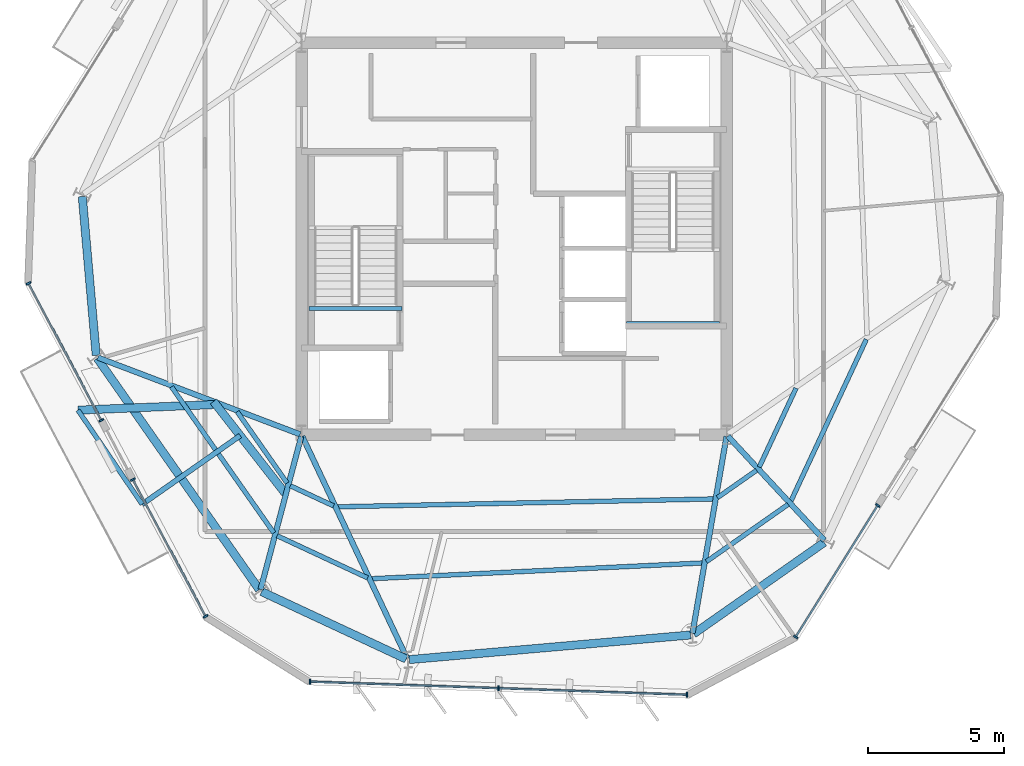
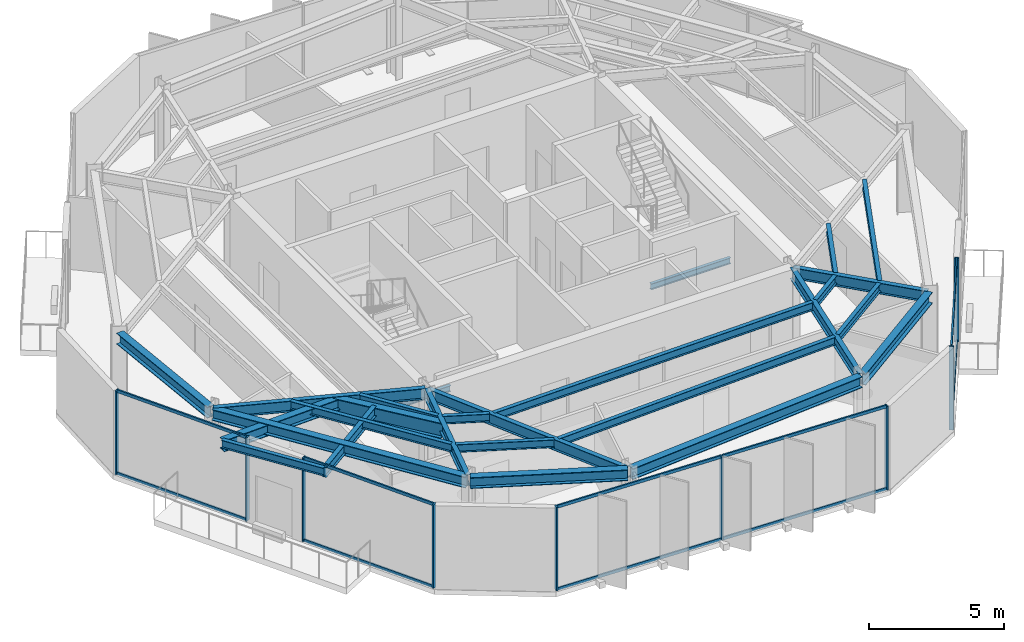
# One storey, part 2 of 12: 26 beams, 19 members, 4 elements without a shape of their own.
"""IFC4 building model written with IfcOpenShell, lengths in metres."""

from ifc_helpers import new_model, si_unit, direction, frame, origin, origin_2d, place, context, subcontext, project, spatial, rectangle, i_section, extrude, material, layer, layer_set, material_profile, profile_set, type_object, element, aggregate, save


model = new_model("IFC4")

# Units and contexts
model_context = context("Model", 3, precision=1e-05, world=origin(), true_north=direction((0.0, 1.0)))
body_context = subcontext(model_context, "Body", "Model", "MODEL_VIEW")
ifc_project = project(units=[si_unit("LENGTHUNIT", "METRE"), si_unit("AREAUNIT", "SQUARE_METRE"), si_unit("VOLUMEUNIT", "CUBIC_METRE"), si_unit("PLANEANGLEUNIT", "RADIAN"), si_unit("MASSUNIT", "GRAM", prefix="KILO")], contexts=[model_context])

# Site, building, storey
site_placement = place(None, origin())
site = spatial("IfcSite", under=ifc_project, at=site_placement, CompositionType="ELEMENT")
building_placement = place(site_placement, origin())
building = spatial("IfcBuilding", under=site, at=building_placement, Name="Kranzbogen Civic Tower", CompositionType="ELEMENT")
storey_placement = place(building_placement, frame((0.0, 0.0, 258.199951171875)))
storey = spatial("IfcBuildingStorey", under=building, at=storey_placement, Name="L62", CompositionType="ELEMENT", Elevation=258.199951171875)

# Beam
ifc_material_1 = material(Name="Steel S355", Category="steel")
ifc_material_profile_1 = material_profile(ifc_material_1, i_section(OverallWidth=0.18994140625, OverallDepth=0.449951171875, WebThickness=0.009521484375, FlangeThickness=0.0146484375, at=origin_2d()), Name="IPE 450")
ifc_profile_set_1 = profile_set([ifc_material_profile_1], Name="Steel S355")
beam_type_1 = type_object("IfcBeamType", Name="Braced Terrace Edge Beam IPE 450", PredefinedType="BEAM", material=ifc_profile_set_1)
beam_1_placement = place(storey_placement, frame((14.944091796875, 17.77490234375, 3.525146484375), z_axis=(-0.819179663282, -0.573536990321, 0.0), x_axis=(0.573536990321, -0.819179663282, 0.0)))
element("IfcBeam", 1, at=beam_1_placement, inside=storey, type_object=beam_type_1, Name="L63 back-spanned terrace beam L63-TB2-2", PredefinedType="BEAM", context=body_context, shape_type="SweptSolid", body=[
    extrude(i_section(OverallWidth=0.18994140625, OverallDepth=0.449951171875, WebThickness=0.009521484375, FlangeThickness=0.0146484375, at=origin_2d()), origin(), (0.0, 0.0, 1.0), 4.389892578125),
])

# Curtain wall, members
ifc_material_2 = material(Name="Pale Anodised Aluminium", Category="aluminium")
ifc_layer = layer(ifc_material_2, 0.219970703125, Name="Pale Anodised Aluminium")
ifc_layer_set = layer_set([ifc_layer], Name="Pale Anodised Aluminium")
curtain_wall_type = type_object("IfcCurtainWallType", Name="Zone 4 Stick Curtain Wall System CW-05", PredefinedType="USERDEFINED", material=ifc_layer_set)
curtain_wall_1_placement = place(storey_placement, origin())
curtain_wall_1 = element("IfcCurtainWall", 2, at=curtain_wall_1_placement, inside=storey, type_object=curtain_wall_type, Name="L62 curtain wall CW-L62-F3-S1", ObjectType="STICK CURTAIN WALL", PredefinedType="USERDEFINED")
ifc_material_profile_2 = material_profile(ifc_material_2, rectangle(XDim=0.06494140625, YDim=0.179931640625, at=origin_2d()), Name="ALU-M 65x180")
ifc_profile_set_2 = profile_set([ifc_material_profile_2], Name="Pale Anodised Aluminium")
member_type_1 = type_object("IfcMemberType", Name="Curtain Wall Mullion ALU-M 65x180", PredefinedType="MULLION", material=ifc_profile_set_2)
member_1_placement = place(storey_placement, frame((7.177978515625, 23.362548828125, 0.0), z_axis=(0.0, 0.0, 1.0), x_axis=(0.469468784746, -0.882949069963, 0.0)))
member_1 = element("IfcMember", 3, at=member_1_placement, type_object=member_type_1, Name="CW-05 mullion 1", PredefinedType="MULLION", context=body_context, shape_type="SweptSolid", body=[
    extrude(rectangle(XDim=0.06494140625, YDim=0.179931640625, at=origin_2d()), origin(), (0.0, 0.0, 1.0), 3.780029296875),
])
member_2_placement = place(storey_placement, frame((9.849853515625, 18.33740234375, 0.0), z_axis=(0.0, 0.0, 1.0), x_axis=(0.469468784746, -0.882949069963, 0.0)))
member_2 = element("IfcMember", 4, at=member_2_placement, type_object=member_type_1, Name="CW-05 mullion 2", PredefinedType="MULLION", context=body_context, shape_type="SweptSolid", body=[
    extrude(rectangle(XDim=0.06494140625, YDim=0.179931640625, at=origin_2d()), origin(), (0.0, 0.0, 1.0), 3.780029296875),
])

curtain_wall_2_placement = place(storey_placement, origin())
curtain_wall_2 = element("IfcCurtainWall", 5, at=curtain_wall_2_placement, inside=storey, type_object=curtain_wall_type, Name="L62 curtain wall CW-L62-F3-S2", ObjectType="STICK CURTAIN WALL", PredefinedType="USERDEFINED")
member_3_placement = place(storey_placement, frame((11.005126953125, 16.16552734375, 0.0), z_axis=(0.0, 0.0, 1.0), x_axis=(0.4694052891, -0.882982828012, 0.0)))
member_3 = element("IfcMember", 6, at=member_3_placement, type_object=member_type_1, Name="CW-05 mullion 1", PredefinedType="MULLION", context=body_context, shape_type="SweptSolid", body=[
    extrude(rectangle(XDim=0.06494140625, YDim=0.179931640625, at=origin_2d()), origin(), (0.0, 0.0, 1.0), 3.780029296875),
])
member_4_placement = place(storey_placement, frame((13.676025390625, 11.1416015625, 0.0), z_axis=(0.0, 0.0, 1.0), x_axis=(0.4694052891, -0.882982828012, 0.0)))
member_4 = element("IfcMember", 7, at=member_4_placement, type_object=member_type_1, Name="CW-05 mullion 2", PredefinedType="MULLION", context=body_context, shape_type="SweptSolid", body=[
    extrude(rectangle(XDim=0.06494140625, YDim=0.179931640625, at=origin_2d()), origin(), (0.0, 0.0, 1.0), 3.780029296875),
])

curtain_wall_3_placement = place(storey_placement, origin())
curtain_wall_3 = element("IfcCurtainWall", 8, at=curtain_wall_3_placement, inside=storey, type_object=curtain_wall_type, Name="L62 curtain wall CW-L62-F4", ObjectType="STICK CURTAIN WALL", PredefinedType="USERDEFINED")
member_5_placement = place(storey_placement, frame((17.507080078125, 8.7470703125, 0.0), z_axis=(0.0, 0.0, 1.0), x_axis=(0.999391301516, -0.034885906233, 0.0)))
member_5 = element("IfcMember", 9, at=member_5_placement, type_object=member_type_1, Name="CW-05 mullion 1", PredefinedType="MULLION", context=body_context, shape_type="SweptSolid", body=[
    extrude(rectangle(XDim=0.06494140625, YDim=0.179931640625, at=origin_2d()), origin(), (0.0, 0.0, 1.0), 3.780029296875),
])
member_6_placement = place(storey_placement, frame((24.424072265625, 8.505615234375, 0.0), z_axis=(0.0, 0.0, 1.0), x_axis=(0.999391301516, -0.034885906233, 0.0)))
member_6 = element("IfcMember", 10, at=member_6_placement, type_object=member_type_1, Name="CW-05 mullion 2", PredefinedType="MULLION", context=body_context, shape_type="SweptSolid", body=[
    extrude(rectangle(XDim=0.06494140625, YDim=0.179931640625, at=origin_2d()), origin(), (0.0, 0.0, 1.0), 3.780029296875),
])
member_7_placement = place(storey_placement, frame((31.341064453125, 8.26416015625, 0.0), z_axis=(0.0, 0.0, 1.0), x_axis=(0.999391301516, -0.034885906233, 0.0)))
member_7 = element("IfcMember", 11, at=member_7_placement, type_object=member_type_1, Name="CW-05 mullion 3", PredefinedType="MULLION", context=body_context, shape_type="SweptSolid", body=[
    extrude(rectangle(XDim=0.06494140625, YDim=0.179931640625, at=origin_2d()), origin(), (0.0, 0.0, 1.0), 3.780029296875),
])

curtain_wall_4_placement = place(storey_placement, origin())
curtain_wall_4 = element("IfcCurtainWall", 12, at=curtain_wall_4_placement, inside=storey, type_object=curtain_wall_type, Name="L62 curtain wall CW-L62-F5-S1", ObjectType="STICK CURTAIN WALL", PredefinedType="USERDEFINED")
member_8_placement = place(storey_placement, frame((35.328857421875, 10.384521484375, 0.0), z_axis=(0.0, 0.0, 1.0), x_axis=(0.529905173136, 0.848056901088, 0.0)))
member_8 = element("IfcMember", 13, at=member_8_placement, type_object=member_type_1, Name="CW-05 mullion 1", PredefinedType="MULLION", context=body_context, shape_type="SweptSolid", body=[
    extrude(rectangle(XDim=0.06494140625, YDim=0.179931640625, at=origin_2d()), origin(), (0.0, 0.0, 1.0), 3.780029296875),
])
member_9_placement = place(storey_placement, frame((38.34521484375, 15.211669921875, 0.0), z_axis=(0.0, 0.0, 1.0), x_axis=(0.529905173136, 0.848056901088, 0.0)))
member_9 = element("IfcMember", 14, at=member_9_placement, type_object=member_type_1, Name="CW-05 mullion 2", PredefinedType="MULLION", context=body_context, shape_type="SweptSolid", body=[
    extrude(rectangle(XDim=0.06494140625, YDim=0.179931640625, at=origin_2d()), origin(), (0.0, 0.0, 1.0), 3.780029296875),
])

# Member
ifc_material_profile_3 = material_profile(ifc_material_2, rectangle(XDim=0.06494140625, YDim=0.135009765625, at=origin_2d()), Name="ALU-T 65x135")
ifc_profile_set_3 = profile_set([ifc_material_profile_3], Name="Pale Anodised Aluminium")
member_type_2 = type_object("IfcMemberType", Name="Curtain Wall Transom ALU-T 65x135", PredefinedType="USERDEFINED", material=ifc_profile_set_3)
member_10_placement = place(storey_placement, frame((7.192138671875, 23.3359375, 0.030029296875), z_axis=(0.469496487374, -0.882934339769, 0.0), x_axis=(0.882934339769, 0.469496487374, 0.0)))
member_10 = element("IfcMember", 15, at=member_10_placement, type_object=member_type_2, Name="CW-05 transom 1.1", ObjectType="TRANSOM", PredefinedType="USERDEFINED", context=body_context, shape_type="SweptSolid", body=[
    extrude(rectangle(XDim=0.06494140625, YDim=0.135009765625, at=origin_2d()), origin(), (0.0, 0.0, 1.0), 5.631103515625),
])

member_11_placement = place(storey_placement, frame((7.192138671875, 23.3359375, 3.75), z_axis=(0.469496487374, -0.882934339769, 0.0), x_axis=(0.882934339769, 0.469496487374, 0.0)))
member_11 = element("IfcMember", 16, at=member_11_placement, type_object=member_type_2, Name="CW-05 transom 1.2", ObjectType="TRANSOM", PredefinedType="USERDEFINED", context=body_context, shape_type="SweptSolid", body=[
    extrude(rectangle(XDim=0.06494140625, YDim=0.135009765625, at=origin_2d()), origin(), (0.0, 0.0, 1.0), 5.631103515625),
])

aggregate(curtain_wall_1, [member_1, member_2, member_10, member_11])

member_12_placement = place(storey_placement, frame((11.01904296875, 16.138916015625, 0.030029296875), z_axis=(0.469433165642, -0.882968007911, 0.0), x_axis=(0.882968007911, 0.469433165642, 0.0)))
member_12 = element("IfcMember", 17, at=member_12_placement, type_object=member_type_2, Name="CW-05 transom 1.1", ObjectType="TRANSOM", PredefinedType="USERDEFINED", context=body_context, shape_type="SweptSolid", body=[
    extrude(rectangle(XDim=0.06494140625, YDim=0.135009765625, at=origin_2d()), origin(), (0.0, 0.0, 1.0), 5.6298828125),
])

member_13_placement = place(storey_placement, frame((11.01904296875, 16.138916015625, 3.75), z_axis=(0.469433165642, -0.882968007911, 0.0), x_axis=(0.882968007911, 0.469433165642, 0.0)))
member_13 = element("IfcMember", 18, at=member_13_placement, type_object=member_type_2, Name="CW-05 transom 1.2", ObjectType="TRANSOM", PredefinedType="USERDEFINED", context=body_context, shape_type="SweptSolid", body=[
    extrude(rectangle(XDim=0.06494140625, YDim=0.135009765625, at=origin_2d()), origin(), (0.0, 0.0, 1.0), 5.6298828125),
])

aggregate(curtain_wall_2, [member_3, member_4, member_12, member_13])

member_14_placement = place(storey_placement, frame((17.536865234375, 8.745849609375, 0.030029296875), z_axis=(0.999391843814, -0.034870367321, 0.0), x_axis=(0.034870367321, 0.999391843814, 0.0)))
member_14 = element("IfcMember", 19, at=member_14_placement, type_object=member_type_2, Name="CW-05 transom 1.1", ObjectType="TRANSOM", PredefinedType="USERDEFINED", context=body_context, shape_type="SweptSolid", body=[
    extrude(rectangle(XDim=0.06494140625, YDim=0.135009765625, at=origin_2d()), origin(), (0.0, 0.0, 1.0), 6.861328125),
])

member_15_placement = place(storey_placement, frame((17.536865234375, 8.745849609375, 3.75), z_axis=(0.999391843814, -0.034870367321, 0.0), x_axis=(0.034870367321, 0.999391843814, 0.0)))
member_15 = element("IfcMember", 20, at=member_15_placement, type_object=member_type_2, Name="CW-05 transom 1.2", ObjectType="TRANSOM", PredefinedType="USERDEFINED", context=body_context, shape_type="SweptSolid", body=[
    extrude(rectangle(XDim=0.06494140625, YDim=0.135009765625, at=origin_2d()), origin(), (0.0, 0.0, 1.0), 6.861328125),
])

member_16_placement = place(storey_placement, frame((24.4541015625, 8.50439453125, 0.030029296875), z_axis=(0.999391800547, -0.034871607368, 0.0), x_axis=(0.034871607368, 0.999391800547, 0.0)))
member_16 = element("IfcMember", 21, at=member_16_placement, type_object=member_type_2, Name="CW-05 transom 2.1", ObjectType="TRANSOM", PredefinedType="USERDEFINED", context=body_context, shape_type="SweptSolid", body=[
    extrude(rectangle(XDim=0.06494140625, YDim=0.135009765625, at=origin_2d()), origin(), (0.0, 0.0, 1.0), 6.861083984375),
])

member_17_placement = place(storey_placement, frame((24.4541015625, 8.50439453125, 3.75), z_axis=(0.999391800547, -0.034871607368, 0.0), x_axis=(0.034871607368, 0.999391800547, 0.0)))
member_17 = element("IfcMember", 22, at=member_17_placement, type_object=member_type_2, Name="CW-05 transom 2.2", ObjectType="TRANSOM", PredefinedType="USERDEFINED", context=body_context, shape_type="SweptSolid", body=[
    extrude(rectangle(XDim=0.06494140625, YDim=0.135009765625, at=origin_2d()), origin(), (0.0, 0.0, 1.0), 6.861083984375),
])

aggregate(curtain_wall_3, [member_5, member_6, member_7, member_14, member_15, member_16, member_17])

member_18_placement = place(storey_placement, frame((35.3447265625, 10.409912109375, 0.030029296875), z_axis=(0.529909314755, 0.848054313199, 0.0), x_axis=(-0.848054313199, 0.529909314755, 0.0)))
member_18 = element("IfcMember", 23, at=member_18_placement, type_object=member_type_2, Name="CW-05 transom 1.1", ObjectType="TRANSOM", PredefinedType="USERDEFINED", context=body_context, shape_type="SweptSolid", body=[
    extrude(rectangle(XDim=0.06494140625, YDim=0.135009765625, at=origin_2d()), origin(), (0.0, 0.0, 1.0), 5.6318359375),
])

member_19_placement = place(storey_placement, frame((35.3447265625, 10.409912109375, 3.75), z_axis=(0.529909314755, 0.848054313199, 0.0), x_axis=(-0.848054313199, 0.529909314755, 0.0)))
member_19 = element("IfcMember", 24, at=member_19_placement, type_object=member_type_2, Name="CW-05 transom 1.2", ObjectType="TRANSOM", PredefinedType="USERDEFINED", context=body_context, shape_type="SweptSolid", body=[
    extrude(rectangle(XDim=0.06494140625, YDim=0.135009765625, at=origin_2d()), origin(), (0.0, 0.0, 1.0), 5.6318359375),
])

aggregate(curtain_wall_4, [member_8, member_9, member_18, member_19])

# Beams
ifc_material_profile_4 = material_profile(ifc_material_1, i_section(OverallWidth=0.300048828125, OverallDepth=0.5, WebThickness=0.014404296875, FlangeThickness=0.028076171875, at=origin_2d()), Name="HEB 500")
ifc_profile_set_4 = profile_set([ifc_material_profile_4], Name="Steel S355")
beam_type_2 = type_object("IfcBeamType", Name="Perimeter Tube Spandrel Beam HEB 500", PredefinedType="SPANDREL", material=ifc_profile_set_4)
beam_2_placement = place(storey_placement, frame((9.699951171875, 20.612060546875, 3.530029296875), z_axis=(0.573577759301, -0.819151117948, 0.0), x_axis=(0.819151117948, 0.573577759301, 0.0)))
element("IfcBeam", 25, at=beam_2_placement, inside=storey, type_object=beam_type_2, Name="L62 perimeter spandrel beam 01", PredefinedType="SPANDREL", context=body_context, shape_type="SweptSolid", body=[
    extrude(i_section(OverallWidth=0.300048828125, OverallDepth=0.5, WebThickness=0.014404296875, FlangeThickness=0.028076171875, at=origin_2d()), origin(), (0.0, 0.0, 1.0), 10.36328125),
])
beam_3_placement = place(storey_placement, frame((15.73193359375, 12.049072265625, 3.530029296875), z_axis=(0.906289661556, -0.422657129784, 0.0), x_axis=(0.422657129784, 0.906289661556, 0.0)))
element("IfcBeam", 26, at=beam_3_placement, inside=storey, type_object=beam_type_2, Name="L62 perimeter spandrel beam 02", PredefinedType="SPANDREL", context=body_context, shape_type="SweptSolid", body=[
    extrude(i_section(OverallWidth=0.300048828125, OverallDepth=0.5, WebThickness=0.014404296875, FlangeThickness=0.028076171875, at=origin_2d()), origin(), (0.0, 0.0, 1.0), 5.853759765625),
])
beam_4_placement = place(storey_placement, frame((21.15087890625, 9.554931640625, 3.530029296875), z_axis=(0.996186373839, 0.087250837114, 0.0), x_axis=(-0.087250837114, 0.996186373839, 0.0)))
element("IfcBeam", 27, at=beam_4_placement, inside=storey, type_object=beam_type_2, Name="L62 perimeter spandrel beam 03", PredefinedType="SPANDREL", context=body_context, shape_type="SweptSolid", body=[
    extrude(i_section(OverallWidth=0.300048828125, OverallDepth=0.5, WebThickness=0.014404296875, FlangeThickness=0.028076171875, at=origin_2d()), origin(), (0.0, 0.0, 1.0), 10.361572265625),
])
beam_5_placement = place(storey_placement, frame((31.58203125, 10.498046875, 3.530029296875), z_axis=(0.819059436004, 0.57370867197, 0.0), x_axis=(-0.57370867197, 0.819059436004, 0.0)))
element("IfcBeam", 28, at=beam_5_placement, inside=storey, type_object=beam_type_2, Name="L62 perimeter spandrel beam 04", PredefinedType="SPANDREL", context=body_context, shape_type="SweptSolid", body=[
    extrude(i_section(OverallWidth=0.300048828125, OverallDepth=0.5, WebThickness=0.014404296875, FlangeThickness=0.028076171875, at=origin_2d()), origin(), (0.0, 0.0, 1.0), 5.85302734375),
])
beam_6_placement = place(storey_placement, frame((9.14990234375, 26.550048828125, 3.530029296875), z_axis=(0.087326362434, -0.99617975608, 0.0), x_axis=(0.99617975608, 0.087326362434, 0.0)))
element("IfcBeam", 29, at=beam_6_placement, inside=storey, type_object=beam_type_2, Name="L62 perimeter spandrel beam 12", PredefinedType="SPANDREL", context=body_context, shape_type="SweptSolid", body=[
    extrude(i_section(OverallWidth=0.300048828125, OverallDepth=0.5, WebThickness=0.014404296875, FlangeThickness=0.028076171875, at=origin_2d()), origin(), (0.0, 0.0, 1.0), 5.8515625),
])
beam_7_placement = place(storey_placement, frame((14.052978515625, 18.9169921875, 3.5), z_axis=(-0.999157119327, -0.041049371476, 0.0), x_axis=(0.041049371476, -0.999157119327, 0.0)))
element("IfcBeam", 30, at=beam_7_placement, inside=storey, type_object=beam_type_2, Name="L63 back-spanned terrace beam L63-TB2-1", PredefinedType="SPANDREL", context=body_context, shape_type="SweptSolid", body=[
    extrude(i_section(OverallWidth=0.300048828125, OverallDepth=0.5, WebThickness=0.014404296875, FlangeThickness=0.028076171875, at=origin_2d()), origin(), (0.0, 0.0, 1.0), 5.067138671875),
])
ifc_material_profile_5 = material_profile(ifc_material_1, i_section(OverallWidth=0.300048828125, OverallDepth=0.699951171875, WebThickness=0.01708984375, FlangeThickness=0.031982421875, at=origin_2d()), Name="HEB 700")
ifc_profile_set_5 = profile_set([ifc_material_profile_5], Name="Steel S355")
beam_type_3 = type_object("IfcBeamType", Name="Perimeter Tube Spandrel Beam HEB 700", PredefinedType="SPANDREL", material=ifc_profile_set_5)
beam_8_placement = place(storey_placement, frame((13.966064453125, 19.028076171875, 3.400146484375), z_axis=(0.615153431403, -0.788407417414, 0.0), x_axis=(0.788407417414, 0.615153431403, 0.0)))
element("IfcBeam", 31, at=beam_8_placement, inside=storey, type_object=beam_type_3, Name="L63 balcony back-span header girder L63-TB2", PredefinedType="SPANDREL", context=body_context, shape_type="SweptSolid", body=[
    extrude(i_section(OverallWidth=0.300048828125, OverallDepth=0.699951171875, WebThickness=0.01708984375, FlangeThickness=0.031982421875, at=origin_2d()), origin(), (0.0, 0.0, 1.0), 4.317626953125),
])
ifc_material_profile_6 = material_profile(ifc_material_1, i_section(OverallWidth=0.199951171875, OverallDepth=0.5, WebThickness=0.01025390625, FlangeThickness=0.01611328125, at=origin_2d()), Name="IPE 500")
ifc_profile_set_6 = profile_set([ifc_material_profile_6], Name="Steel S355")
beam_type_4 = type_object("IfcBeamType", Name="Radial Tower Floor Girder IPE 500", PredefinedType="BEAM", material=ifc_profile_set_6)
beam_9_placement = place(storey_placement, frame((9.721923828125, 20.639892578125, 3.530029296875), z_axis=(0.934848709689, -0.355046320913, 0.0), x_axis=(0.355046320913, 0.934848709689, 0.0)))
element("IfcBeam", 32, at=beam_9_placement, inside=storey, type_object=beam_type_4, Name="L62 radial floor girder 01", PredefinedType="BEAM", context=body_context, shape_type="SweptSolid", body=[
    extrude(i_section(OverallWidth=0.199951171875, OverallDepth=0.5, WebThickness=0.01025390625, FlangeThickness=0.01611328125, at=origin_2d()), origin(), (0.0, 0.0, 1.0), 7.939453125),
])
beam_10_placement = place(storey_placement, frame((15.693115234375, 12.132080078125, 3.530029296875), z_axis=(0.257016017622, 0.966407143333, 0.0), x_axis=(-0.966407143333, 0.257016017622, 0.0)))
element("IfcBeam", 33, at=beam_10_placement, inside=storey, type_object=beam_type_4, Name="L62 radial floor girder 02", PredefinedType="BEAM", context=body_context, shape_type="SweptSolid", body=[
    extrude(i_section(OverallWidth=0.199951171875, OverallDepth=0.5, WebThickness=0.01025390625, FlangeThickness=0.01611328125, at=origin_2d()), origin(), (0.0, 0.0, 1.0), 5.804931640625),
])
beam_11_placement = place(storey_placement, frame((21.06494140625, 9.60400390625, 3.530029296875), z_axis=(-0.426460441273, 0.904506214478, 0.0), x_axis=(-0.904506214478, -0.426460441273, 0.0)))
element("IfcBeam", 34, at=beam_11_placement, inside=storey, type_object=beam_type_4, Name="L62 radial floor girder 03", PredefinedType="BEAM", context=body_context, shape_type="SweptSolid", body=[
    extrude(i_section(OverallWidth=0.199951171875, OverallDepth=0.5, WebThickness=0.01025390625, FlangeThickness=0.01611328125, at=origin_2d()), origin(), (0.0, 0.0, 1.0), 9.001708984375),
])
beam_12_placement = place(storey_placement, frame((31.54296875, 10.52294921875, 3.530029296875), z_axis=(0.170249558486, 0.985400978199, 0.0), x_axis=(-0.985400978199, 0.170249558486, 0.0)))
element("IfcBeam", 35, at=beam_12_placement, inside=storey, type_object=beam_type_4, Name="L62 radial floor girder 04", PredefinedType="BEAM", context=body_context, shape_type="SweptSolid", body=[
    extrude(i_section(OverallWidth=0.199951171875, OverallDepth=0.5, WebThickness=0.01025390625, FlangeThickness=0.01611328125, at=origin_2d()), origin(), (0.0, 0.0, 1.0), 7.324951171875),
])
beam_13_placement = place(storey_placement, frame((36.384033203125, 13.93408203125, 3.530029296875), z_axis=(-0.679827353702, 0.733372190064, 0.0), x_axis=(-0.733372190064, -0.679827353702, 0.0)))
element("IfcBeam", 36, at=beam_13_placement, inside=storey, type_object=beam_type_4, Name="L62 radial floor girder 05", PredefinedType="BEAM", context=body_context, shape_type="SweptSolid", body=[
    extrude(i_section(OverallWidth=0.199951171875, OverallDepth=0.5, WebThickness=0.01025390625, FlangeThickness=0.01611328125, at=origin_2d()), origin(), (0.0, 0.0, 1.0), 5.211669921875),
])
ifc_material_profile_7 = material_profile(ifc_material_1, i_section(OverallWidth=0.169921875, OverallDepth=0.360107421875, WebThickness=0.008056640625, FlangeThickness=0.0126953125, at=origin_2d()), Name="IPE 360")
ifc_profile_set_7 = profile_set([ifc_material_profile_7], Name="Steel S355")
beam_type_5 = type_object("IfcBeamType", Name="Secondary Composite Floor Joist IPE 360", PredefinedType="JOIST", material=ifc_profile_set_7)
beam_14_placement = place(storey_placement, frame((12.424072265625, 19.56591796875, 3.60009765625), z_axis=(0.573499872939, -0.819205649235, 0.0), x_axis=(0.819205649235, 0.573499872939, 0.0)))
element("IfcBeam", 37, at=beam_14_placement, inside=storey, type_object=beam_type_5, Name="L62 secondary floor joist 1.01", PredefinedType="JOIST", context=body_context, shape_type="SweptSolid", body=[
    extrude(i_section(OverallWidth=0.169921875, OverallDepth=0.360107421875, WebThickness=0.008056640625, FlangeThickness=0.0126953125, at=origin_2d()), origin(), (0.0, 0.0, 1.0), 6.549072265625),
])
beam_15_placement = place(storey_placement, frame((14.8349609375, 18.64990234375, 3.60009765625), z_axis=(0.573498248491, -0.819206786457, 0.0), x_axis=(0.819206786457, 0.573498248491, 0.0)))
element("IfcBeam", 38, at=beam_15_placement, inside=storey, type_object=beam_type_5, Name="L62 secondary floor joist 2.01", PredefinedType="JOIST", context=body_context, shape_type="SweptSolid", body=[
    extrude(i_section(OverallWidth=0.169921875, OverallDepth=0.360107421875, WebThickness=0.008056640625, FlangeThickness=0.0126953125, at=origin_2d()), origin(), (0.0, 0.0, 1.0), 3.194580078125),
])
beam_16_placement = place(storey_placement, frame((16.298095703125, 14.10205078125, 3.60009765625), z_axis=(0.906303996948, -0.422626389517, 0.0), x_axis=(0.422626389517, 0.906303996948, 0.0)))
element("IfcBeam", 39, at=beam_16_placement, inside=storey, type_object=beam_type_5, Name="L62 secondary floor joist 1.02", PredefinedType="JOIST", context=body_context, shape_type="SweptSolid", body=[
    extrude(i_section(OverallWidth=0.169921875, OverallDepth=0.360107421875, WebThickness=0.008056640625, FlangeThickness=0.0126953125, at=origin_2d()), origin(), (0.0, 0.0, 1.0), 3.6630859375),
])
beam_17_placement = place(storey_placement, frame((16.784912109375, 15.93408203125, 3.60009765625), z_axis=(0.906432174342, -0.422351409751, 0.0), x_axis=(0.422351409751, 0.906432174342, 0.0)))
element("IfcBeam", 40, at=beam_17_placement, inside=storey, type_object=beam_type_5, Name="L62 secondary floor joist 2.02", PredefinedType="JOIST", context=body_context, shape_type="SweptSolid", body=[
    extrude(i_section(OverallWidth=0.169921875, OverallDepth=0.360107421875, WebThickness=0.008056640625, FlangeThickness=0.0126953125, at=origin_2d()), origin(), (0.0, 0.0, 1.0), 1.751953125),
])
beam_18_placement = place(storey_placement, frame((19.77001953125, 12.52392578125, 3.60009765625), z_axis=(0.998871634781, 0.047491654324, 0.0), x_axis=(-0.047491654324, 0.998871634781, 0.0)))
element("IfcBeam", 41, at=beam_18_placement, inside=storey, type_object=beam_type_5, Name="L62 secondary floor joist 1.03", PredefinedType="JOIST", context=body_context, shape_type="SweptSolid", body=[
    extrude(i_section(OverallWidth=0.169921875, OverallDepth=0.360107421875, WebThickness=0.008056640625, FlangeThickness=0.0126953125, at=origin_2d()), origin(), (0.0, 0.0, 1.0), 12.152587890625),
])
beam_19_placement = place(storey_placement, frame((18.52490234375, 15.162109375, 3.60009765625), z_axis=(0.999780746893, 0.020939392104, 0.0), x_axis=(-0.020939392104, 0.999780746893, 0.0)))
element("IfcBeam", 42, at=beam_19_placement, inside=storey, type_object=beam_type_5, Name="L62 secondary floor joist 2.03", PredefinedType="JOIST", context=body_context, shape_type="SweptSolid", body=[
    extrude(i_section(OverallWidth=0.169921875, OverallDepth=0.360107421875, WebThickness=0.008056640625, FlangeThickness=0.0126953125, at=origin_2d()), origin(), (0.0, 0.0, 1.0), 13.79296875),
])
beam_20_placement = place(storey_placement, frame((32.054931640625, 13.15087890625, 3.60009765625), z_axis=(0.819006333711, 0.573784476385, 0.0), x_axis=(-0.573784476385, 0.819006333711, 0.0)))
element("IfcBeam", 43, at=beam_20_placement, inside=storey, type_object=beam_type_5, Name="L62 secondary floor joist 1.04", PredefinedType="JOIST", context=body_context, shape_type="SweptSolid", body=[
    extrude(i_section(OverallWidth=0.169921875, OverallDepth=0.360107421875, WebThickness=0.008056640625, FlangeThickness=0.0126953125, at=origin_2d()), origin(), (0.0, 0.0, 1.0), 3.661865234375),
])
beam_21_placement = place(storey_placement, frame((32.4599609375, 15.498046875, 3.60009765625), z_axis=(0.818956727849, 0.573855276103, 0.0), x_axis=(-0.573855276103, 0.818956727849, 0.0)))
element("IfcBeam", 44, at=beam_21_placement, inside=storey, type_object=beam_type_5, Name="L62 secondary floor joist 2.04", PredefinedType="JOIST", context=body_context, shape_type="SweptSolid", body=[
    extrude(i_section(OverallWidth=0.169921875, OverallDepth=0.360107421875, WebThickness=0.008056640625, FlangeThickness=0.0126953125, at=origin_2d()), origin(), (0.0, 0.0, 1.0), 1.751220703125),
])
beam_22_placement = place(storey_placement, frame((35.154052734375, 15.3701171875, 3.60009765625), z_axis=(0.422542528713, 0.906343098075, 0.0), x_axis=(-0.906343098075, 0.422542528713, 0.0)))
element("IfcBeam", 45, at=beam_22_placement, inside=storey, type_object=beam_type_5, Name="L62 secondary floor joist 1.05", PredefinedType="JOIST", context=body_context, shape_type="SweptSolid", body=[
    extrude(i_section(OverallWidth=0.169921875, OverallDepth=0.360107421875, WebThickness=0.008056640625, FlangeThickness=0.0126953125, at=origin_2d()), origin(), (0.0, 0.0, 1.0), 6.548095703125),
])
beam_23_placement = place(storey_placement, frame((33.993896484375, 16.62109375, 3.60009765625), z_axis=(0.422651143991, 0.906292453065, 0.0), x_axis=(-0.906292453065, 0.422651143991, 0.0)))
element("IfcBeam", 46, at=beam_23_placement, inside=storey, type_object=beam_type_5, Name="L62 secondary floor joist 2.05", PredefinedType="JOIST", context=body_context, shape_type="SweptSolid", body=[
    extrude(i_section(OverallWidth=0.169921875, OverallDepth=0.360107421875, WebThickness=0.008056640625, FlangeThickness=0.0126953125, at=origin_2d()), origin(), (0.0, 0.0, 1.0), 3.1943359375),
])
beam_24_placement = place(storey_placement, frame((8.989990234375, 18.708984375, 3.570068359375), z_axis=(0.564045182811, -0.825743926255, 0.0), x_axis=(0.825743926255, 0.564045182811, 0.0)))
element("IfcBeam", 47, at=beam_24_placement, inside=storey, type_object=beam_type_5, Name="L63 terrace outer edge trimmer L63-TB2", PredefinedType="JOIST", context=body_context, shape_type="SweptSolid", body=[
    extrude(i_section(OverallWidth=0.169921875, OverallDepth=0.360107421875, WebThickness=0.008056640625, FlangeThickness=0.0126953125, at=origin_2d()), origin(), (0.0, 0.0, 1.0), 4.180419921875),
])
ifc_material_profile_8 = material_profile(ifc_material_1, i_section(OverallWidth=0.135009765625, OverallDepth=0.27001953125, WebThickness=0.006591796875, FlangeThickness=0.01025390625, at=origin_2d()), Name="IPE 270")
ifc_profile_set_8 = profile_set([ifc_material_profile_8], Name="Steel S355")
beam_type_6 = type_object("IfcBeamType", Name="Stair Landing Support Beam IPE 270", PredefinedType="JOIST", material=ifc_profile_set_8)
for number, where, z_axis, x_axis, name in (
    (48, (20.8798828125, 22.43994140625, -0.35498046875), (-1.0, 0.0, 0.0), (0.0, -1.0, 0.0), "L62 ST-T1 stair floor header beam"),
    (49, (29.1201171875, 21.89990234375, 1.6650390625), (1.0, 0.0, 0.0), (0.0, 1.0, 0.0), "L62 ST-T2 landing support beam 1.2"),
):
    element("IfcBeam", number, at=place(storey_placement, frame(where, z_axis=z_axis, x_axis=x_axis)), inside=storey, type_object=beam_type_6, Name=name, PredefinedType="JOIST", context=body_context, shape_type="SweptSolid", body=[
        extrude(i_section(OverallWidth=0.135009765625, OverallDepth=0.27001953125, WebThickness=0.006591796875, FlangeThickness=0.01025390625, at=origin_2d()), origin(), (0.0, 0.0, 1.0), 3.409912109375),
    ])

save(model, "model.ifc")
